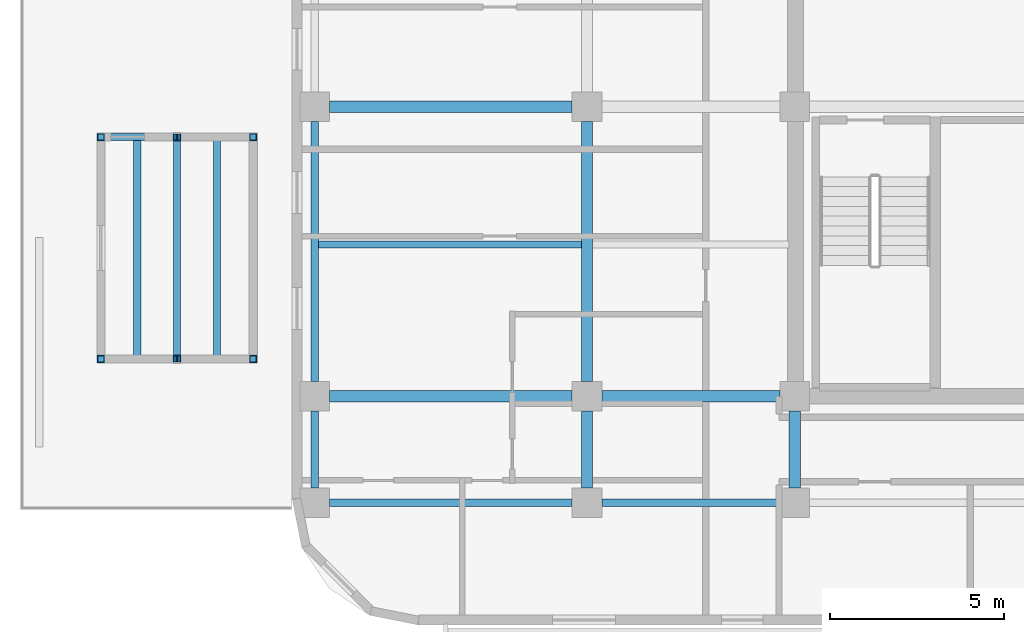
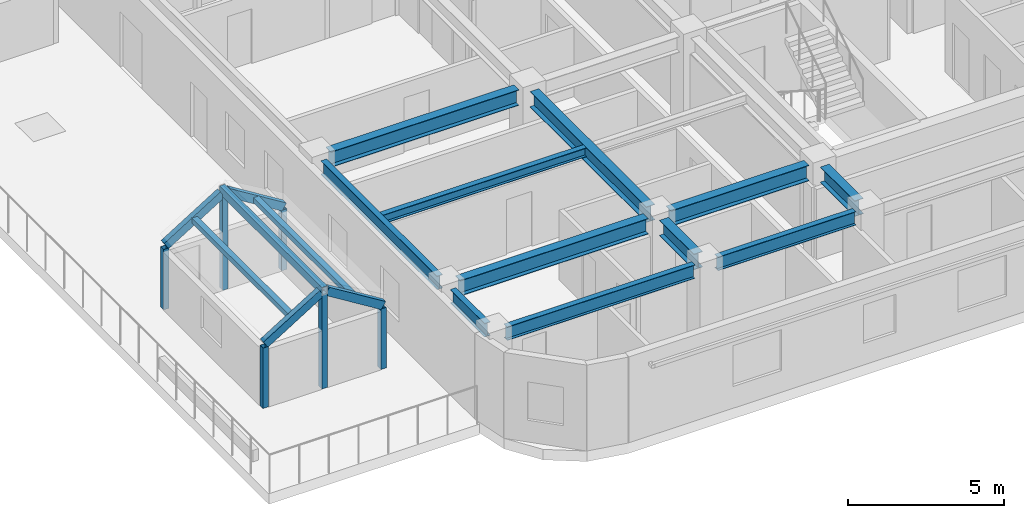
# One storey, part 2 of 19: 13 members, 11 beams.
"""IFC4 building model written with IfcOpenShell, lengths in metres."""

from ifc_helpers import new_model, si_unit, direction, frame, origin, origin_2d, place, context, subcontext, project, spatial, hollow_rectangle, i_section, extrude, material, material_profile, profile_set, type_object, element, save


model = new_model("IFC4")

# Units and contexts
model_context = context("Model", 3, precision=1e-05, world=origin(), true_north=direction((0.0, 1.0)))
body_context = subcontext(model_context, "Body", "Model", "MODEL_VIEW")
ifc_project = project(units=[si_unit("LENGTHUNIT", "METRE"), si_unit("AREAUNIT", "SQUARE_METRE"), si_unit("VOLUMEUNIT", "CUBIC_METRE"), si_unit("PLANEANGLEUNIT", "RADIAN"), si_unit("MASSUNIT", "GRAM", prefix="KILO")], contexts=[model_context])

# Site, building, storey
site_placement = place(None, origin())
site = spatial("IfcSite", under=ifc_project, at=site_placement, CompositionType="ELEMENT")
building_placement = place(site_placement, origin())
building = spatial("IfcBuilding", under=site, at=building_placement, Name="Ochreholt Gables", CompositionType="ELEMENT")
storey_placement = place(building_placement, frame((0.0, 0.0, 76.800048828125)))
storey = spatial("IfcBuildingStorey", under=building, at=storey_placement, Name="L19", CompositionType="ELEMENT", Elevation=76.800048828125)

# Beams
ifc_material = material(Name="Steel CSA G40.21 350W", Category="steel")
ifc_material_profile_1 = material_profile(ifc_material, i_section(OverallWidth=0.323974609375, OverallDepth=0.611083984375, WebThickness=0.0126953125, FlangeThickness=0.01904296875, at=origin_2d()), Name="W610X155")
ifc_profile_set_1 = profile_set([ifc_material_profile_1], Name="Steel CSA G40.21 350W")
beam_type_1 = type_object("IfcBeamType", Name="BM-G-W610A", PredefinedType="BEAM", material=ifc_profile_set_1)
beam_1_placement = place(storey_placement, frame((10.87451171875, 9.25, 3.054443359375), z_axis=(1.0, 0.0, 0.0), x_axis=(0.0, 1.0, 0.0)))
element("IfcBeam", 1, at=beam_1_placement, inside=storey, type_object=beam_type_1, Name="L19 Beam TBG-L19-W2W3-Y2", PredefinedType="BEAM", context=body_context, shape_type="SweptSolid", body=[
    extrude(i_section(OverallWidth=0.323974609375, OverallDepth=0.611083984375, WebThickness=0.0126953125, FlangeThickness=0.01904296875, at=origin_2d()), origin(), (0.0, 0.0, 1.0), 6.950927734375),
])
beam_2_placement = place(storey_placement, frame((18.674560546875, 9.25, 3.054443359375), z_axis=(1.0, 0.0, 0.0), x_axis=(0.0, 1.0, 0.0)))
element("IfcBeam", 2, at=beam_2_placement, inside=storey, type_object=beam_type_1, Name="L19 Beam TBG-L19-W3C1-Y2", PredefinedType="BEAM", context=body_context, shape_type="SweptSolid", body=[
    extrude(i_section(OverallWidth=0.323974609375, OverallDepth=0.611083984375, WebThickness=0.0126953125, FlangeThickness=0.01904296875, at=origin_2d()), origin(), (0.0, 0.0, 1.0), 5.100830078125),
])
beam_3_placement = place(storey_placement, frame((10.87451171875, 17.550048828125, 3.054443359375), z_axis=(1.0, 0.0, 0.0), x_axis=(0.0, 1.0, 0.0)))
element("IfcBeam", 3, at=beam_3_placement, inside=storey, type_object=beam_type_1, Name="L19 Beam TBG-L19-W2W3-Y3", PredefinedType="BEAM", context=body_context, shape_type="SweptSolid", body=[
    extrude(i_section(OverallWidth=0.323974609375, OverallDepth=0.611083984375, WebThickness=0.0126953125, FlangeThickness=0.01904296875, at=origin_2d()), origin(), (0.0, 0.0, 1.0), 6.950927734375),
])
beam_4_placement = place(storey_placement, frame((18.25, 6.62451171875, 3.054443359375), z_axis=(0.0, 1.0, 0.0), x_axis=(-1.0, 0.0, 0.0)))
element("IfcBeam", 4, at=beam_4_placement, inside=storey, type_object=beam_type_1, Name="L19 Beam TBN-L19-W3-Y1Y2", PredefinedType="BEAM", context=body_context, shape_type="SweptSolid", body=[
    extrude(i_section(OverallWidth=0.323974609375, OverallDepth=0.611083984375, WebThickness=0.0126953125, FlangeThickness=0.01904296875, at=origin_2d()), origin(), (0.0, 0.0, 1.0), 2.200927734375),
])
beam_5_placement = place(storey_placement, frame((18.25, 9.674560546875, 3.054443359375), z_axis=(0.0, 1.0, 0.0), x_axis=(-1.0, 0.0, 0.0)))
element("IfcBeam", 5, at=beam_5_placement, inside=storey, type_object=beam_type_1, Name="L19 Beam TBN-L19-W3-Y2Y3", PredefinedType="BEAM", context=body_context, shape_type="SweptSolid", body=[
    extrude(i_section(OverallWidth=0.323974609375, OverallDepth=0.611083984375, WebThickness=0.0126953125, FlangeThickness=0.01904296875, at=origin_2d()), origin(), (0.0, 0.0, 1.0), 7.450927734375),
])
beam_6_placement = place(storey_placement, frame((24.199951171875, 6.62451171875, 3.054443359375), z_axis=(0.0, 1.0, 0.0), x_axis=(-1.0, 0.0, 0.0)))
element("IfcBeam", 6, at=beam_6_placement, inside=storey, type_object=beam_type_1, Name="L19 Beam TBN-L19-C1-Y1Y2", PredefinedType="BEAM", context=body_context, shape_type="SweptSolid", body=[
    extrude(i_section(OverallWidth=0.323974609375, OverallDepth=0.611083984375, WebThickness=0.0126953125, FlangeThickness=0.01904296875, at=origin_2d()), origin(), (0.0, 0.0, 1.0), 2.200927734375),
])
ifc_material_profile_2 = material_profile(ifc_material, i_section(OverallWidth=0.205078125, OverallDepth=0.35400390625, WebThickness=0.009521484375, FlangeThickness=0.016845703125, at=origin_2d()), Name="W360X79")
ifc_profile_set_2 = profile_set([ifc_material_profile_2], Name="Steel CSA G40.21 350W")
beam_type_2 = type_object("IfcBeamType", Name="BM-J-W360A", PredefinedType="JOIST", material=ifc_profile_set_2)
beam_7_placement = place(storey_placement, frame((10.55419921875, 13.60009765625, 3.182861328125), z_axis=(1.0, 0.0, 0.0), x_axis=(0.0, 1.0, 0.0)))
element("IfcBeam", 7, at=beam_7_placement, inside=storey, type_object=beam_type_2, Name="L19 Beam TBJ-L19-J1-W2W3", PredefinedType="JOIST", context=body_context, shape_type="SweptSolid", body=[
    extrude(i_section(OverallWidth=0.205078125, OverallDepth=0.35400390625, WebThickness=0.009521484375, FlangeThickness=0.016845703125, at=origin_2d()), origin(), (0.0, 0.0, 1.0), 7.5341796875),
])
ifc_material_profile_3 = material_profile(ifc_material, i_section(OverallWidth=0.208984375, OverallDepth=0.532958984375, WebThickness=0.01025390625, FlangeThickness=0.015625, at=origin_2d()), Name="W530X92")
ifc_profile_set_3 = profile_set([ifc_material_profile_3], Name="Steel CSA G40.21 350W")
beam_type_3 = type_object("IfcBeamType", Name="BM-SP-W530B", PredefinedType="SPANDREL", material=ifc_profile_set_3)
beam_8_placement = place(storey_placement, frame((10.87451171875, 6.199951171875, 3.093505859375), z_axis=(1.0, 0.0, 0.0), x_axis=(0.0, 1.0, 0.0)))
element("IfcBeam", 8, at=beam_8_placement, inside=storey, type_object=beam_type_3, Name="L19 Beam TBG-L19-W2W3-Y1", PredefinedType="SPANDREL", context=body_context, shape_type="SweptSolid", body=[
    extrude(i_section(OverallWidth=0.208984375, OverallDepth=0.532958984375, WebThickness=0.01025390625, FlangeThickness=0.015625, at=origin_2d()), origin(), (0.0, 0.0, 1.0), 6.950927734375),
])
beam_9_placement = place(storey_placement, frame((18.674560546875, 6.199951171875, 3.093505859375), z_axis=(1.0, 0.0, 0.0), x_axis=(0.0, 1.0, 0.0)))
element("IfcBeam", 9, at=beam_9_placement, inside=storey, type_object=beam_type_3, Name="L19 Beam TBG-L19-W3C1-Y1", PredefinedType="SPANDREL", context=body_context, shape_type="SweptSolid", body=[
    extrude(i_section(OverallWidth=0.208984375, OverallDepth=0.532958984375, WebThickness=0.01025390625, FlangeThickness=0.015625, at=origin_2d()), origin(), (0.0, 0.0, 1.0), 5.100830078125),
])
beam_10_placement = place(storey_placement, frame((10.449951171875, 6.62451171875, 3.093505859375), z_axis=(0.0, 1.0, 0.0), x_axis=(-1.0, 0.0, 0.0)))
element("IfcBeam", 10, at=beam_10_placement, inside=storey, type_object=beam_type_3, Name="L19 Beam TBN-L19-W2-Y1Y2", PredefinedType="SPANDREL", context=body_context, shape_type="SweptSolid", body=[
    extrude(i_section(OverallWidth=0.208984375, OverallDepth=0.532958984375, WebThickness=0.01025390625, FlangeThickness=0.015625, at=origin_2d()), origin(), (0.0, 0.0, 1.0), 2.200927734375),
])
beam_11_placement = place(storey_placement, frame((10.449951171875, 9.674560546875, 3.093505859375), z_axis=(0.0, 1.0, 0.0), x_axis=(-1.0, 0.0, 0.0)))
element("IfcBeam", 11, at=beam_11_placement, inside=storey, type_object=beam_type_3, Name="L19 Beam TBN-L19-W2-Y2Y3", PredefinedType="SPANDREL", context=body_context, shape_type="SweptSolid", body=[
    extrude(i_section(OverallWidth=0.208984375, OverallDepth=0.532958984375, WebThickness=0.01025390625, FlangeThickness=0.015625, at=origin_2d()), origin(), (0.0, 0.0, 1.0), 7.450927734375),
])

# Members
ifc_material_profile_4 = material_profile(ifc_material, hollow_rectangle(XDim=0.202880859375, YDim=0.202880859375, WallThickness=0.009521484375, at=origin_2d()), Name="HSS203X203X10")
ifc_profile_set_4 = profile_set([ifc_material_profile_4], Name="Steel CSA G40.21 350W")
member_type_1 = type_object("IfcMemberType", Name="MEM-GB-PR1", PredefinedType="PURLIN", material=ifc_profile_set_4)
for number, where, z_axis, x_axis, name in (
    (12, (5.359619140625, 10.39697265625, 3.13037109375), (0.0, 1.0, 0.0), (-1.0, 0.0, 0.0), "L19 Gable West Purlin GB-19W1"),
    (13, (7.640625, 10.39697265625, 3.13037109375), (0.0, 1.0, 0.0), (-1.0, 0.0, 0.0), "L19 Gable East Purlin GB-19W1"),
):
    element("IfcMember", number, at=place(storey_placement, frame(where, z_axis=z_axis, x_axis=x_axis)), inside=storey, type_object=member_type_1, Name=name, PredefinedType="PURLIN", context=body_context, shape_type="SweptSolid", body=[
        extrude(hollow_rectangle(XDim=0.202880859375, YDim=0.202880859375, WallThickness=0.009521484375, at=origin_2d()), origin(), (0.0, 0.0, 1.0), 6.2060546875),
    ])
ifc_material_profile_5 = material_profile(ifc_material, hollow_rectangle(XDim=0.202880859375, YDim=0.202880859375, WallThickness=0.009521484375, at=origin_2d()), Name="HSS203X203X10")
ifc_profile_set_5 = profile_set([ifc_material_profile_5], Name="Steel CSA G40.21 350W")
member_type_2 = type_object("IfcMemberType", Name="MEM-GB-PT2", PredefinedType="POST", material=ifc_profile_set_5)
for number, where, z_axis, x_axis, name in (
    (14, (4.320068359375, 10.320068359375, 0.0), (0.0, 0.0, 1.0), (1.0, 0.0, 0.0), "L19 Gable Pavilion Post GB-19W1-P1"),
    (15, (8.679931640625, 10.320068359375, 0.0), (0.0, 0.0, 1.0), (1.0, 0.0, 0.0), "L19 Gable Pavilion Post GB-19W1-P2"),
    (16, (8.679931640625, 16.679931640625, 0.0), (0.0, 0.0, 1.0), (1.0, 0.0, 0.0), "L19 Gable Pavilion Post GB-19W1-P3"),
    (17, (4.320068359375, 16.679931640625, 0.0), (0.0, 0.0, 1.0), (1.0, 0.0, 0.0), "L19 Gable Pavilion Post GB-19W1-P4"),
):
    element("IfcMember", number, at=place(storey_placement, frame(where, z_axis=z_axis, x_axis=x_axis)), inside=storey, type_object=member_type_2, Name=name, PredefinedType="POST", context=body_context, shape_type="SweptSolid", body=[
        extrude(hollow_rectangle(XDim=0.202880859375, YDim=0.202880859375, WallThickness=0.009521484375, at=origin_2d()), origin(), (0.0, 0.0, 1.0), 2.361572265625),
    ])
for number, where, z_axis, x_axis, name in (
    (18, (6.5, 10.320068359375, 0.0), (0.0, 0.0, 1.0), (1.0, 0.0, 0.0), "L19 Gable Ridge Post GB-19W1-PRG1"),
    (19, (6.5, 16.679931640625, 0.0), (0.0, 0.0, 1.0), (1.0, 0.0, 0.0), "L19 Gable Ridge Post GB-19W1-PRG2"),
):
    element("IfcMember", number, at=place(storey_placement, frame(where, z_axis=z_axis, x_axis=x_axis)), inside=storey, type_object=member_type_2, Name=name, PredefinedType="POST", context=body_context, shape_type="SweptSolid", body=[
        extrude(hollow_rectangle(XDim=0.202880859375, YDim=0.202880859375, WallThickness=0.009521484375, at=origin_2d()), origin(), (0.0, 0.0, 1.0), 3.680419921875),
    ])
ifc_material_profile_6 = material_profile(ifc_material, hollow_rectangle(XDim=0.202880859375, YDim=0.304931640625, WallThickness=0.0126953125, at=origin_2d()), Name="HSS305X203X13")
ifc_profile_set_6 = profile_set([ifc_material_profile_6], Name="Steel CSA G40.21 350W")
member_type_3 = type_object("IfcMemberType", Name="MEM-GB-RF1", PredefinedType="RAFTER", material=ifc_profile_set_6)
for number, where, z_axis, x_axis, name in (
    (20, (4.320068359375, 10.320068359375, 2.46484375), (0.850139585687, 0.0, 0.52655738989), (0.0, 1.0, 0.0), "L19 Gable West Rafter 1 GB-19W1"),
    (21, (8.679931640625, 10.320068359375, 2.46484375), (-0.850139585687, 0.0, 0.52655738989), (0.0, -1.0, 0.0), "L19 Gable East Rafter 1 GB-19W1"),
    (22, (4.320068359375, 16.679931640625, 2.46484375), (0.850139585687, 0.0, 0.52655738989), (0.0, 1.0, 0.0), "L19 Gable West Rafter 2 GB-19W1"),
    (23, (8.679931640625, 16.679931640625, 2.46484375), (-0.850139585687, 0.0, 0.52655738989), (0.0, -1.0, 0.0), "L19 Gable East Rafter 2 GB-19W1"),
):
    element("IfcMember", number, at=place(storey_placement, frame(where, z_axis=z_axis, x_axis=x_axis)), inside=storey, type_object=member_type_3, Name=name, PredefinedType="RAFTER", context=body_context, shape_type="SweptSolid", body=[
        extrude(hollow_rectangle(XDim=0.202880859375, YDim=0.304931640625, WallThickness=0.0126953125, at=origin_2d()), origin(), (0.0, 0.0, 1.0), 2.4453125),
    ])
ifc_material_profile_7 = material_profile(ifc_material, hollow_rectangle(XDim=0.202880859375, YDim=0.304931640625, WallThickness=0.0126953125, at=origin_2d()), Name="HSS305X203X13")
ifc_profile_set_7 = profile_set([ifc_material_profile_7], Name="Steel CSA G40.21 350W")
member_type_4 = type_object("IfcMemberType", Name="MEM-GB-RF1E", PredefinedType="RAFTER", material=ifc_profile_set_7)
member_placement = place(storey_placement, frame((6.5, 10.219970703125, 3.81494140625), z_axis=(0.0, 1.0, 0.0), x_axis=(-1.0, 0.0, 0.0)))
element("IfcMember", 24, at=member_placement, inside=storey, type_object=member_type_4, Name="L19 Gable Ridge Member GB-19W1", PredefinedType="RAFTER", context=body_context, shape_type="SweptSolid", body=[
    extrude(hollow_rectangle(XDim=0.202880859375, YDim=0.304931640625, WallThickness=0.0126953125, at=origin_2d()), origin(), (0.0, 0.0, 1.0), 6.56005859375),
])

save(model, "model.ifc")
